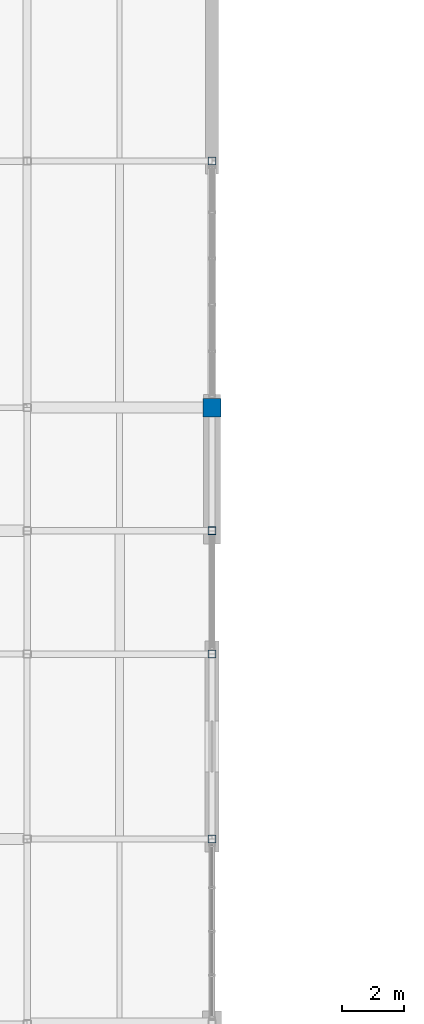
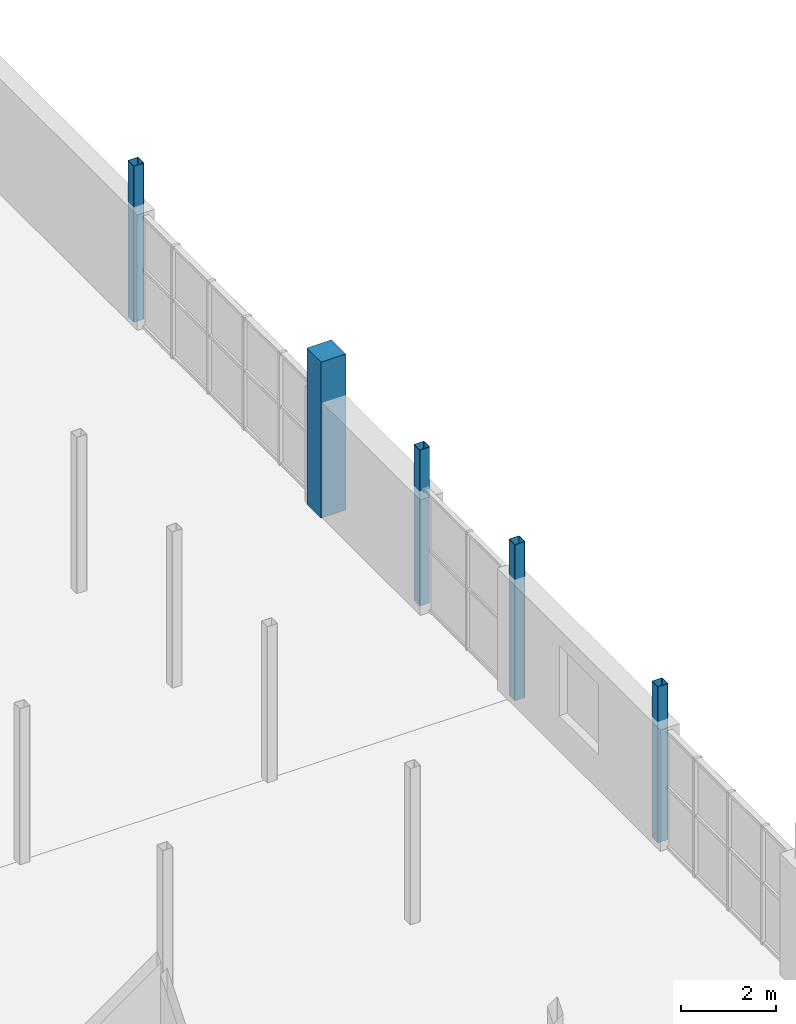
# One storey, part 6 of 35: 5 columns.
"""IFC4 building model written with IfcOpenShell, lengths in metres."""

from ifc_helpers import new_model, si_unit, direction, frame, origin, origin_2d, place, context, subcontext, project, spatial, rectangle, hollow_rectangle, extrude, material, material_profile, profile_set, type_object, element, save


model = new_model("IFC4")

# Units and contexts
model_context = context("Model", 3, precision=1e-05, world=origin(), true_north=direction((0.0, 1.0)))
body_context = subcontext(model_context, "Body", "Model", "MODEL_VIEW")
ifc_project = project(units=[si_unit("LENGTHUNIT", "METRE"), si_unit("AREAUNIT", "SQUARE_METRE"), si_unit("VOLUMEUNIT", "CUBIC_METRE"), si_unit("PLANEANGLEUNIT", "RADIAN"), si_unit("MASSUNIT", "GRAM", prefix="KILO")], contexts=[model_context])

# Site, building, storey
site_placement = place(None, origin())
site = spatial("IfcSite", under=ifc_project, at=site_placement, CompositionType="ELEMENT")
building_placement = place(site_placement, origin())
building = spatial("IfcBuilding", under=site, at=building_placement, Name="Verrall Gate Interchange", CompositionType="ELEMENT")
storey_placement = place(building_placement, frame((0.0, 0.0, 15.39990234375)))
storey = spatial("IfcBuildingStorey", under=building, at=storey_placement, Name="L04", CompositionType="ELEMENT", Elevation=15.39990234375)

# Columns
ifc_material_1 = material(Name="Concrete CSA A23.1 40 MPa (Class N)", Category="concrete")
ifc_material_profile_1 = material_profile(ifc_material_1, rectangle(XDim=0.60009765625, YDim=0.60009765625, at=origin_2d()), Name="RC600x600")
ifc_profile_set_1 = profile_set([ifc_material_profile_1], Name="Concrete CSA A23.1 40 MPa (Class N)")
column_type_1 = type_object("IfcColumnType", Name="C-04 Column RC600x600", PredefinedType="COLUMN", material=ifc_profile_set_1)
column_placement = place(storey_placement, frame((36.0, 48.0, 0.0), z_axis=(0.0, 0.0, 1.0), x_axis=(1.0, 0.0, 0.0)))
element("IfcColumn", 1, at=column_placement, inside=storey, type_object=column_type_1, Name="L04 Column COL-L04-0791 (C-04)", PredefinedType="COLUMN", context=body_context, shape_type="SweptSolid", body=[
    extrude(rectangle(XDim=0.60009765625, YDim=0.60009765625, at=origin_2d()), origin(), (0.0, 0.0, 1.0), 4.0),
])
ifc_material_2 = material(Name="Structural Steel CSA G40.21 350WT Cat 4", Category="steel")
ifc_material_profile_2 = material_profile(ifc_material_2, hollow_rectangle(XDim=0.25390625, YDim=0.25390625, WallThickness=0.009521484375, InnerFilletRadius=0.009521484375, OuterFilletRadius=0.01904296875, at=origin_2d()), Name="HSS254x254x9.5")
ifc_profile_set_2 = profile_set([ifc_material_profile_2], Name="Structural Steel CSA G40.21 350WT Cat 4")
column_type_2 = type_object("IfcColumnType", Name="C-13 Column HSS254x254x9.5", PredefinedType="COLUMN", material=ifc_profile_set_2)
for number, where, z_axis, x_axis, name in (
    (2, (36.0, 34.0, 0.0), (0.0, 0.0, 1.0), (1.0, 0.0, 0.0), "L04 Column COL-L04-0767 (C-13)"),
    (3, (36.0, 40.0, 0.0), (0.0, 0.0, 1.0), (1.0, 0.0, 0.0), "L04 Column COL-L04-0775 (C-13)"),
    (4, (36.0, 44.0, 0.0), (0.0, 0.0, 1.0), (1.0, 0.0, 0.0), "L04 Column COL-L04-0783 (C-13)"),
    (5, (36.0, 56.0, 0.0), (0.0, 0.0, 1.0), (1.0, 0.0, 0.0), "L04 Column COL-L04-0799 (C-13)"),
):
    element("IfcColumn", number, at=place(storey_placement, frame(where, z_axis=z_axis, x_axis=x_axis)), inside=storey, type_object=column_type_2, Name=name, PredefinedType="COLUMN", context=body_context, shape_type="SweptSolid", body=[
        extrude(hollow_rectangle(XDim=0.25390625, YDim=0.25390625, WallThickness=0.009521484375, InnerFilletRadius=0.009521484375, OuterFilletRadius=0.01904296875, at=origin_2d()), origin(), (0.0, 0.0, 1.0), 4.0),
    ])

save(model, "model.ifc")
